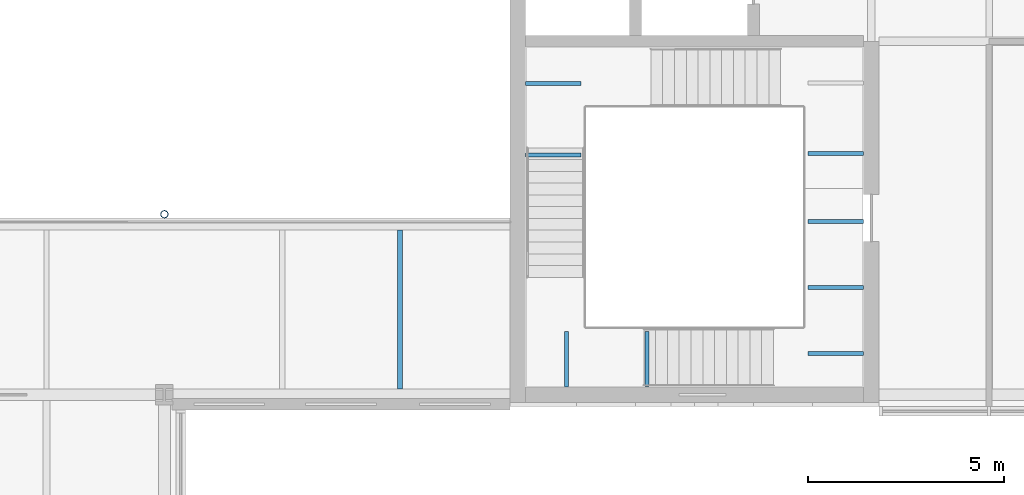
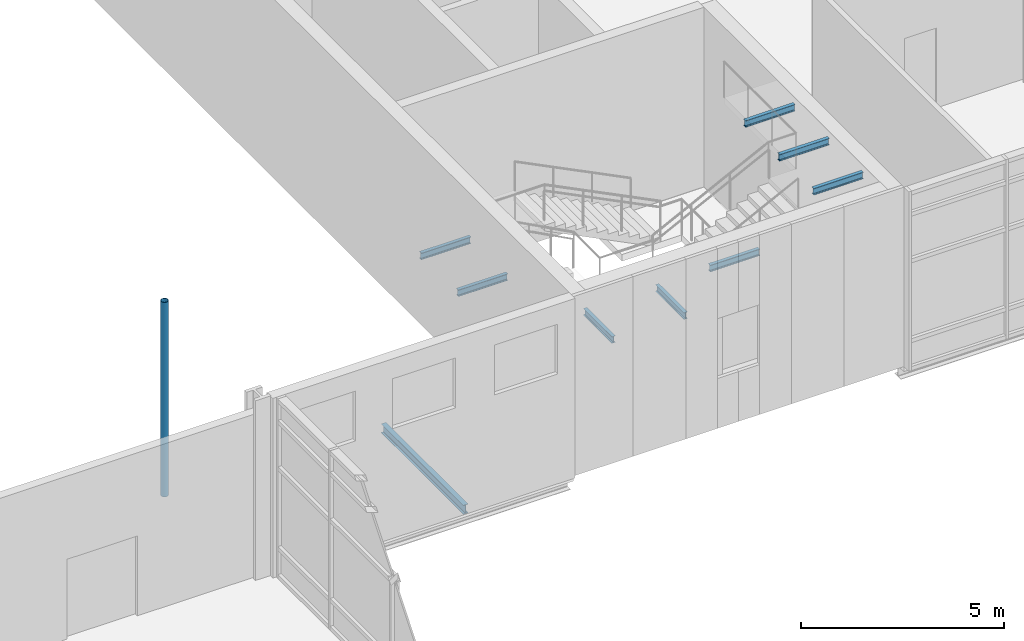
# One storey, part 24 of 56: 9 beams, 1 member.
"""IFC4 building model written with IfcOpenShell, lengths in metres."""

from ifc_helpers import new_model, si_unit, direction, frame, origin, origin_2d, place, context, subcontext, project, spatial, hollow_circle, i_section, extrude, material, material_profile, profile_set, type_object, element, save


model = new_model("IFC4")

# Units and contexts
model_context = context("Model", 3, precision=1e-05, world=origin(), true_north=direction((0.0, 1.0)))
body_context = subcontext(model_context, "Body", "Model", "MODEL_VIEW")
ifc_project = project(units=[si_unit("LENGTHUNIT", "METRE"), si_unit("AREAUNIT", "SQUARE_METRE"), si_unit("VOLUMEUNIT", "CUBIC_METRE"), si_unit("PLANEANGLEUNIT", "RADIAN"), si_unit("MASSUNIT", "GRAM", prefix="KILO")], contexts=[model_context])

# Site, building, storey
site_placement = place(None, origin())
site = spatial("IfcSite", under=ifc_project, at=site_placement, CompositionType="ELEMENT")
building_placement = place(site_placement, origin())
building = spatial("IfcBuilding", under=site, at=building_placement, Name="Azimuth Sports and Learning Centre", CompositionType="ELEMENT")
storey_placement = place(building_placement, frame((0.0, 0.0, 5.39990234375)))
storey = spatial("IfcBuildingStorey", under=building, at=storey_placement, Name="L01", CompositionType="ELEMENT", Elevation=5.39990234375)

# Beams
ifc_material_1 = material(Name="Steel S355", Category="steel")
ifc_material_profile_1 = material_profile(ifc_material_1, i_section(OverallWidth=0.10009765625, OverallDepth=0.199951171875, WebThickness=0.005615234375, FlangeThickness=0.008544921875, FilletRadius=0.011962890625, at=origin_2d()), Name="IPE 200")
ifc_profile_set_1 = profile_set([ifc_material_profile_1], Name="Steel S355")
beam_type_1 = type_object("IfcBeamType", Name="Beam IPE 200", PredefinedType="BEAM", material=ifc_profile_set_1)
for number, where, z_axis, x_axis, name in (
    (1, (116.800048828125, 96.1474609375, -0.2998046875), (-1.0, 0.0, 0.0), (0.0, -1.0, 0.0), "Landing bracket E1 L01 364"),
    (2, (108.199951171875, 96.1025390625, 1.5), (1.0, 0.0, 0.0), (0.0, 1.0, 0.0), "Landing bracket E1 L01 366"),
    (3, (108.199951171875, 97.927490234375, 1.5), (1.0, 0.0, 0.0), (0.0, 1.0, 0.0), "Landing bracket E1 L01 367"),
    (4, (109.235107421875, 90.199951171875, 3.300048828125), (0.0, 1.0, 0.0), (-1.0, 0.0, 0.0), "Landing bracket E1 L01 368"),
    (5, (111.284912109375, 90.199951171875, 3.300048828125), (0.0, 1.0, 0.0), (-1.0, 0.0, 0.0), "Landing bracket E1 L01 369"),
    (6, (116.800048828125, 91.050048828125, 5.10009765625), (-1.0, 0.0, 0.0), (0.0, -1.0, 0.0), "Landing bracket E1 L01 370"),
    (7, (116.800048828125, 92.72998046875, 5.10009765625), (-1.0, 0.0, 0.0), (0.0, -1.0, 0.0), "Landing bracket E1 L01 371"),
    (8, (116.800048828125, 94.409912109375, 5.10009765625), (-1.0, 0.0, 0.0), (0.0, -1.0, 0.0), "Landing bracket E1 L01 372"),
):
    element("IfcBeam", number, at=place(storey_placement, frame(where, z_axis=z_axis, x_axis=x_axis)), inside=storey, type_object=beam_type_1, Name=name, PredefinedType="BEAM", context=body_context, shape_type="SweptSolid", body=[
        extrude(i_section(OverallWidth=0.10009765625, OverallDepth=0.199951171875, WebThickness=0.005615234375, FlangeThickness=0.008544921875, FilletRadius=0.011962890625, at=origin_2d()), origin(), (0.0, 0.0, 1.0), 1.41015625),
    ])
ifc_material_2 = material(Name="Steel S355", Category="steel")
ifc_material_profile_2 = material_profile(ifc_material_2, i_section(OverallWidth=0.135009765625, OverallDepth=0.27001953125, WebThickness=0.006591796875, FlangeThickness=0.01025390625, FilletRadius=0.014892578125, at=origin_2d()), Name="IPE 270")
ifc_profile_set_2 = profile_set([ifc_material_profile_2], Name="Steel S355")
beam_type_2 = type_object("IfcBeamType", Name="Joist IPE 270", PredefinedType="JOIST", material=ifc_profile_set_2)
beam_placement = place(storey_placement, frame((105.0, 90.14990234375, -0.284912109375), z_axis=(0.0, 1.0, 0.0), x_axis=(-1.0, 0.0, 0.0)))
element("IfcBeam", 9, at=beam_placement, inside=storey, type_object=beam_type_2, Name="Joist L01 HG 13", PredefinedType="JOIST", context=body_context, shape_type="SweptSolid", body=[
    extrude(i_section(OverallWidth=0.135009765625, OverallDepth=0.27001953125, WebThickness=0.006591796875, FlangeThickness=0.01025390625, FilletRadius=0.014892578125, at=origin_2d()), origin(), (0.0, 0.0, 1.0), 4.050048828125),
])

# Member
ifc_material_3 = material(Name="Steel S355", Category="steel")
ifc_material_profile_3 = material_profile(ifc_material_3, hollow_circle(Radius=0.096923828125, WallThickness=0.010009765625, at=origin_2d()), Name="CHS 193.7x10.0")
ifc_profile_set_3 = profile_set([ifc_material_profile_3], Name="Steel S355")
member_type = type_object("IfcMemberType", Name="Truss post CHS 193.7x10.0", PredefinedType="POST", material=ifc_profile_set_3)
member_placement = place(storey_placement, frame((99.0, 94.596923828125, -0.449951171875), z_axis=(0.0, 0.0, 1.0), x_axis=(1.0, 0.0, 0.0)))
element("IfcMember", 10, at=member_placement, inside=storey, type_object=member_type, Name="Gallery hanger FT-4", PredefinedType="POST", context=body_context, shape_type="SweptSolid", body=[
    extrude(hollow_circle(Radius=0.096923828125, WallThickness=0.010009765625, at=origin_2d()), origin(), (0.0, 0.0, 1.0), 5.85009765625),
])

save(model, "model.ifc")
